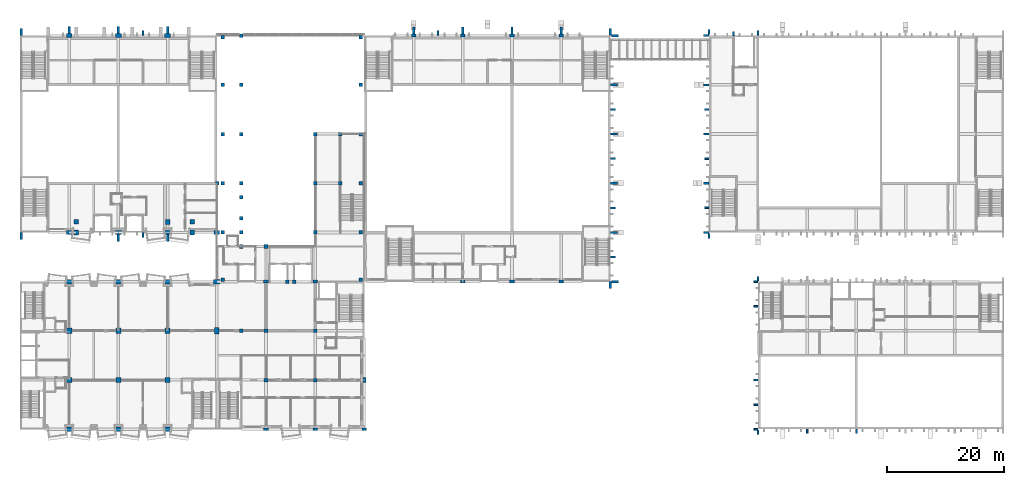
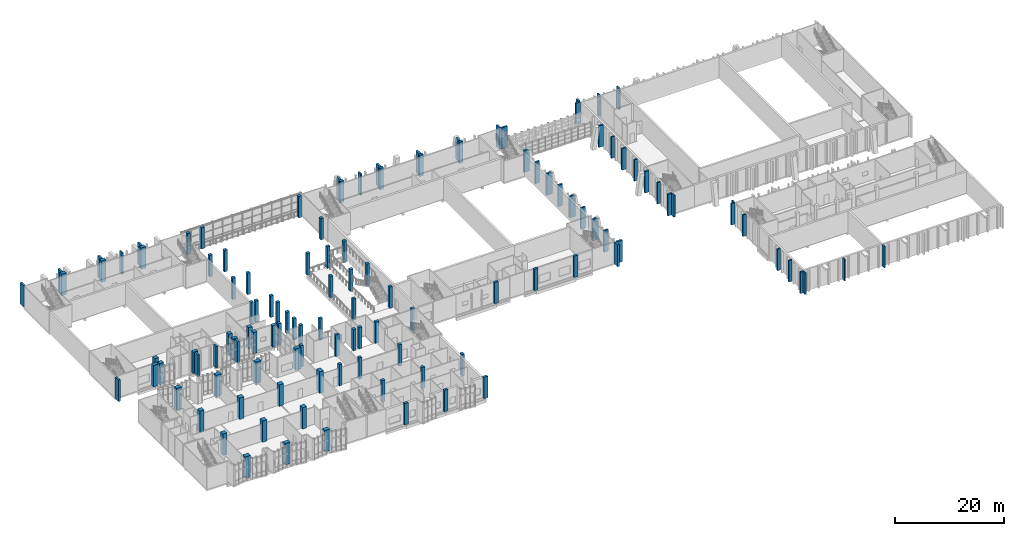
# One storey, part 1 of 91: 120 columns.
"""IFC4 building model written with IfcOpenShell, lengths in metres."""

from ifc_helpers import new_model, si_unit, direction, frame, origin, origin_2d, place, context, subcontext, project, spatial, rectangle, extrude, material, material_profile, profile_set, type_object, element, save


model = new_model("IFC4")

# Units and contexts
model_context = context("Model", 3, precision=1e-05, world=origin(), true_north=direction((0.0, 1.0)))
body_context = subcontext(model_context, "Body", "Model", "MODEL_VIEW")
ifc_project = project(units=[si_unit("LENGTHUNIT", "METRE"), si_unit("AREAUNIT", "SQUARE_METRE"), si_unit("VOLUMEUNIT", "CUBIC_METRE"), si_unit("PLANEANGLEUNIT", "RADIAN"), si_unit("MASSUNIT", "GRAM", prefix="KILO")], contexts=[model_context])

# Site, building, storey
site_placement = place(None, origin())
site = spatial("IfcSite", under=ifc_project, at=site_placement, CompositionType="ELEMENT")
building_placement = place(site_placement, origin())
building = spatial("IfcBuilding", under=site, at=building_placement, Name="Kiln Court Media Centre", CompositionType="ELEMENT")
storey_placement = place(building_placement, frame((0.0, 0.0, 5.39990234375)))
storey = spatial("IfcBuildingStorey", under=building, at=storey_placement, Name="L01", CompositionType="ELEMENT", Elevation=5.39990234375)

# Columns
ifc_material_1 = material(Name="Concrete C40/50", Category="concrete")
ifc_material_profile_1 = material_profile(ifc_material_1, rectangle(XDim=1.0, YDim=0.699951171875, at=origin_2d()), Name="RC 1000x700")
ifc_profile_set_1 = profile_set([ifc_material_profile_1], Name="Concrete C40/50")
column_type_1 = type_object("IfcColumnType", Name="Concrete C40/50 column 1000x700", PredefinedType="COLUMN", material=ifc_profile_set_1)
for number, where, z_axis, x_axis, name in (
    (1, (8.39990234375, 33.60009765625, 0.0), (0.0, 0.0, 1.0), (1.0, 0.0, 0.0), "L01-C-1024"),
    (2, (8.39990234375, 67.199951171875, 0.0), (0.0, 0.0, 1.0), (1.0, 0.0, 0.0), "L01-C-1025"),
    (3, (16.800048828125, 33.60009765625, 0.0), (0.0, 0.0, 1.0), (1.0, 0.0, 0.0), "L01-C-1026"),
    (4, (16.800048828125, 67.199951171875, 0.0), (0.0, 0.0, 1.0), (1.0, 0.0, 0.0), "L01-C-1027"),
    (5, (25.199951171875, 33.60009765625, 0.0), (0.0, 0.0, 1.0), (1.0, 0.0, 0.0), "L01-C-1028"),
    (6, (25.199951171875, 67.199951171875, 0.0), (0.0, 0.0, 1.0), (1.0, 0.0, 0.0), "L01-C-1029"),
    (7, (33.60009765625, 33.60009765625, 0.0), (0.0, 0.0, 1.0), (1.0, 0.0, 0.0), "L01-C-1030"),
):
    element("IfcColumn", number, at=place(storey_placement, frame(where, z_axis=z_axis, x_axis=x_axis)), inside=storey, type_object=column_type_1, Name=name, PredefinedType="COLUMN", context=body_context, shape_type="SweptSolid", body=[
        extrude(rectangle(XDim=1.0, YDim=0.699951171875, at=origin_2d()), origin(), (0.0, 0.0, 1.0), 4.800048828125),
    ])
ifc_material_2 = material(Name="Concrete C40/50", Category="concrete")
ifc_material_profile_2 = material_profile(ifc_material_2, rectangle(XDim=1.10009765625, YDim=0.800048828125, at=origin_2d()), Name="RC 1100x800")
ifc_profile_set_2 = profile_set([ifc_material_profile_2], Name="Concrete C40/50")
column_type_2 = type_object("IfcColumnType", Name="Concrete C40/50 column 1100x800", PredefinedType="COLUMN", material=ifc_profile_set_2)
for number, where, z_axis, x_axis, name in (
    (8, (8.39990234375, 0.0, 0.0), (0.0, 0.0, 1.0), (1.0, 0.0, 0.0), "L01-C-1000"),
    (9, (8.39990234375, 25.199951171875, 0.0), (0.0, 0.0, 1.0), (1.0, 0.0, 0.0), "L01-C-1003"),
    (10, (16.800048828125, 0.0, 0.0), (0.0, 0.0, 1.0), (1.0, 0.0, 0.0), "L01-C-1004"),
    (11, (16.800048828125, 25.199951171875, 0.0), (0.0, 0.0, 1.0), (1.0, 0.0, 0.0), "L01-C-1007"),
    (12, (25.199951171875, 0.0, 0.0), (0.0, 0.0, 1.0), (1.0, 0.0, 0.0), "L01-C-1008"),
    (13, (25.199951171875, 25.199951171875, 0.0), (0.0, 0.0, 1.0), (1.0, 0.0, 0.0), "L01-C-1011"),
    (14, (33.60009765625, 16.800048828125, 0.0), (0.0, 0.0, 1.0), (0.0, 1.0, 0.0), "L01-C-1012"),
    (15, (33.60009765625, 25.199951171875, 0.0), (0.0, 0.0, 1.0), (1.0, 0.0, 0.0), "L01-C-1013"),
):
    element("IfcColumn", number, at=place(storey_placement, frame(where, z_axis=z_axis, x_axis=x_axis)), inside=storey, type_object=column_type_2, Name=name, PredefinedType="COLUMN", context=body_context, shape_type="SweptSolid", body=[
        extrude(rectangle(XDim=1.10009765625, YDim=0.800048828125, at=origin_2d()), origin(), (0.0, 0.0, 1.0), 4.800048828125),
    ])
ifc_material_3 = material(Name="Concrete C40/50", Category="concrete")
ifc_material_profile_3 = material_profile(ifc_material_3, rectangle(XDim=0.60009765625, YDim=0.60009765625, at=origin_2d()), Name="RC 600x600")
ifc_profile_set_3 = profile_set([ifc_material_profile_3], Name="Concrete C40/50")
column_type_3 = type_object("IfcColumnType", Name="Concrete C40/50 column 600x600", PredefinedType="COLUMN", material=ifc_profile_set_3)
for number, where, z_axis, x_axis, name in (
    (16, (42.0, 8.39990234375, 0.0), (0.0, 0.0, 1.0), (1.0, 0.0, 0.0), "L01-C-1015"),
    (17, (42.0, 16.800048828125, 0.0), (0.0, 0.0, 1.0), (1.0, 0.0, 0.0), "L01-C-1016"),
    (18, (50.39990234375, 8.39990234375, 0.0), (0.0, 0.0, 1.0), (1.0, 0.0, 0.0), "L01-C-1019"),
    (19, (50.39990234375, 16.800048828125, 0.0), (0.0, 0.0, 1.0), (1.0, 0.0, 0.0), "L01-C-1020"),
    (20, (50.39990234375, 33.60009765625, 0.0), (0.0, 0.0, 1.0), (1.0, 0.0, 0.0), "L01-C-1031"),
    (21, (50.39990234375, 42.0, 0.0), (0.0, 0.0, 1.0), (1.0, 0.0, 0.0), "L01-C-1032"),
    (22, (50.39990234375, 50.39990234375, 0.0), (0.0, 0.0, 1.0), (1.0, 0.0, 0.0), "L01-C-1033"),
    (23, (34.64990234375, 25.5, 0.0), (0.0, 0.0, 1.0), (1.0, 0.0, 0.0), "L01-C-1048"),
    (24, (34.64990234375, 33.60009765625, 0.0), (0.0, 0.0, 1.0), (1.0, 0.0, 0.0), "L01-C-1049"),
    (25, (34.64990234375, 42.0, 0.0), (0.0, 0.0, 1.0), (1.0, 0.0, 0.0), "L01-C-1050"),
    (26, (34.64990234375, 50.39990234375, 0.0), (0.0, 0.0, 1.0), (1.0, 0.0, 0.0), "L01-C-1051"),
    (27, (34.64990234375, 58.800048828125, 0.0), (0.0, 0.0, 1.0), (1.0, 0.0, 0.0), "L01-C-1052"),
    (28, (34.64990234375, 66.89990234375, 0.0), (0.0, 0.0, 1.0), (1.0, 0.0, 0.0), "L01-C-1053"),
    (29, (58.14990234375, 25.5, 0.0), (0.0, 0.0, 1.0), (1.0, 0.0, 0.0), "L01-C-1054"),
    (30, (58.14990234375, 33.60009765625, 0.0), (0.0, 0.0, 1.0), (1.0, 0.0, 0.0), "L01-C-1055"),
    (31, (58.14990234375, 42.0, 0.0), (0.0, 0.0, 1.0), (1.0, 0.0, 0.0), "L01-C-1056"),
    (32, (58.14990234375, 50.39990234375, 0.0), (0.0, 0.0, 1.0), (1.0, 0.0, 0.0), "L01-C-1057"),
    (33, (58.14990234375, 58.800048828125, 0.0), (0.0, 0.0, 1.0), (1.0, 0.0, 0.0), "L01-C-1058"),
    (34, (58.14990234375, 66.89990234375, 0.0), (0.0, 0.0, 1.0), (1.0, 0.0, 0.0), "L01-C-1059"),
    (35, (37.800048828125, 31.199951171875, 0.0), (0.0, 0.0, 1.0), (1.0, 0.0, 0.0), "L01-C-1060"),
    (36, (37.800048828125, 36.0, 0.0), (0.0, 0.0, 1.0), (1.0, 0.0, 0.0), "L01-C-1061"),
    (37, (37.800048828125, 39.60009765625, 0.0), (0.0, 0.0, 1.0), (1.0, 0.0, 0.0), "L01-C-1062"),
    (38, (37.800048828125, 67.199951171875, 0.0), (0.0, 0.0, 1.0), (1.0, 0.0, 0.0), "L01-C-1063"),
    (39, (37.801025390625, 33.60009765625, 0.0), (0.0, 0.0, 1.0), (1.0, 0.0, 0.0), "L01-C-1064"),
    (40, (37.801025390625, 42.0, 0.0), (0.0, 0.0, 1.0), (1.0, 0.0, 0.0), "L01-C-1065"),
    (41, (37.801025390625, 50.39990234375, 0.0), (0.0, 0.0, 1.0), (1.0, 0.0, 0.0), "L01-C-1066"),
    (42, (37.801025390625, 58.800048828125, 0.0), (0.0, 0.0, 1.0), (1.0, 0.0, 0.0), "L01-C-1067"),
    (43, (33.64990234375, 42.0, 0.0), (0.0, 0.0, 1.0), (1.0, 0.0, 0.0), "L01-C-1068"),
    (44, (45.59912109375, 25.199951171875, 0.0), (0.0, 0.0, 1.0), (1.0, 0.0, 0.0), "L01-C-1069"),
    (45, (46.801025390625, 25.199951171875, 0.0), (0.0, 0.0, 1.0), (1.0, 0.0, 0.0), "L01-C-1070"),
    (46, (37.801025390625, 16.800048828125, 0.0), (0.0, 0.0, 1.0), (1.0, 0.0, 0.0), "L01-C-1078"),
    (47, (54.65087890625, 42.0, 0.0), (0.0, 0.0, 1.0), (1.0, 0.0, 0.0), "L01-C-1079"),
    (48, (54.65087890625, 50.39990234375, 0.0), (0.0, 0.0, 1.0), (1.0, 0.0, 0.0), "L01-C-1080"),
    (49, (42.0, 31.200927734375, 0.0), (0.0, 0.0, 1.0), (1.0, 0.0, 0.0), "L01-C-1081"),
):
    element("IfcColumn", number, at=place(storey_placement, frame(where, z_axis=z_axis, x_axis=x_axis)), inside=storey, type_object=column_type_3, Name=name, PredefinedType="COLUMN", context=body_context, shape_type="SweptSolid", body=[
        extrude(rectangle(XDim=0.60009765625, YDim=0.60009765625, at=origin_2d()), origin(), (0.0, 0.0, 1.0), 4.800048828125),
    ])
ifc_material_4 = material(Name="Concrete C40/50", Category="concrete")
ifc_material_profile_4 = material_profile(ifc_material_4, rectangle(XDim=0.800048828125, YDim=0.5, at=origin_2d()), Name="RC 800x500")
ifc_profile_set_4 = profile_set([ifc_material_profile_4], Name="Concrete C40/50")
column_type_4 = type_object("IfcColumnType", Name="Concrete C40/50 column 800x500", PredefinedType="COLUMN", material=ifc_profile_set_4)
for number, where, z_axis, x_axis, name in (
    (50, (42.0, 0.0, 0.0), (0.0, 0.0, 1.0), (1.0, 0.0, 0.0), "L01-C-1014"),
    (51, (42.0, 25.199951171875, 0.0), (0.0, 0.0, 1.0), (1.0, 0.0, 0.0), "L01-C-1017"),
    (52, (50.39990234375, 0.0, 0.0), (0.0, 0.0, 1.0), (1.0, 0.0, 0.0), "L01-C-1018"),
    (53, (50.39990234375, 25.199951171875, 0.0), (0.0, 0.0, 1.0), (1.0, 0.0, 0.0), "L01-C-1021"),
    (54, (58.800048828125, 0.0, 0.0), (0.0, 0.0, 1.0), (1.0, 0.0, 0.0), "L01-C-1022"),
    (55, (58.800048828125, 8.39990234375, 0.0), (0.0, 0.0, 1.0), (0.0, 1.0, 0.0), "L01-C-1023"),
    (56, (67.199951171875, 67.199951171875, 0.0), (0.0, 0.0, 1.0), (1.0, 0.0, 0.0), "L01-C-1034"),
    (57, (75.60009765625, 25.199951171875, 0.0), (0.0, 0.0, 1.0), (1.0, 0.0, 0.0), "L01-C-1035"),
    (58, (75.60009765625, 67.199951171875, 0.0), (0.0, 0.0, 1.0), (1.0, 0.0, 0.0), "L01-C-1036"),
    (59, (84.0, 25.199951171875, 0.0), (0.0, 0.0, 1.0), (1.0, 0.0, 0.0), "L01-C-1037"),
    (60, (84.0, 67.199951171875, 0.0), (0.0, 0.0, 1.0), (1.0, 0.0, 0.0), "L01-C-1038"),
    (61, (92.39990234375, 25.199951171875, 0.0), (0.0, 0.0, 1.0), (1.0, 0.0, 0.0), "L01-C-1039"),
    (62, (92.39990234375, 67.199951171875, 0.0), (0.0, 0.0, 1.0), (1.0, 0.0, 0.0), "L01-C-1040"),
):
    element("IfcColumn", number, at=place(storey_placement, frame(where, z_axis=z_axis, x_axis=x_axis)), inside=storey, type_object=column_type_4, Name=name, PredefinedType="COLUMN", context=body_context, shape_type="SweptSolid", body=[
        extrude(rectangle(XDim=0.800048828125, YDim=0.5, at=origin_2d()), origin(), (0.0, 0.0, 1.0), 4.800048828125),
    ])
ifc_material_5 = material(Name="Concrete C40/50", Category="concrete")
ifc_material_profile_5 = material_profile(ifc_material_5, rectangle(XDim=0.800048828125, YDim=0.800048828125, at=origin_2d()), Name="RC 800x800")
ifc_profile_set_5 = profile_set([ifc_material_profile_5], Name="Concrete C40/50")
column_type_5 = type_object("IfcColumnType", Name="Concrete C40/50 column 800x800", PredefinedType="COLUMN", material=ifc_profile_set_5)
for number, where, z_axis, x_axis, name in (
    (63, (9.60009765625, 35.39990234375, 0.0), (0.0, 0.0, 1.0), (1.0, 0.0, 0.0), "L01-C-1071"),
    (64, (9.60107421875, 33.60009765625, 0.0), (0.0, 0.0, 1.0), (1.0, 0.0, 0.0), "L01-C-1072"),
    (65, (25.199951171875, 35.39892578125, 0.0), (0.0, 0.0, 1.0), (1.0, 0.0, 0.0), "L01-C-1073"),
    (66, (29.39892578125, 33.60009765625, 0.0), (0.0, 0.0, 1.0), (1.0, 0.0, 0.0), "L01-C-1074"),
    (67, (29.39990234375, 35.39990234375, 0.0), (0.0, 0.0, 1.0), (1.0, 0.0, 0.0), "L01-C-1075"),
):
    element("IfcColumn", number, at=place(storey_placement, frame(where, z_axis=z_axis, x_axis=x_axis)), inside=storey, type_object=column_type_5, Name=name, PredefinedType="COLUMN", context=body_context, shape_type="SweptSolid", body=[
        extrude(rectangle(XDim=0.800048828125, YDim=0.800048828125, at=origin_2d()), origin(), (0.0, 0.0, 1.0), 4.800048828125),
    ])
ifc_material_6 = material(Name="Concrete C40/50", Category="concrete")
ifc_material_profile_6 = material_profile(ifc_material_6, rectangle(XDim=0.89990234375, YDim=0.89990234375, at=origin_2d()), Name="RC 900x900")
ifc_profile_set_6 = profile_set([ifc_material_profile_6], Name="Concrete C40/50")
column_type_6 = type_object("IfcColumnType", Name="Concrete C40/50 column 900x900", PredefinedType="COLUMN", material=ifc_profile_set_6)
for number, where, z_axis, x_axis, name in (
    (68, (8.39990234375, 8.39990234375, 0.0), (0.0, 0.0, 1.0), (1.0, 0.0, 0.0), "L01-C-1001"),
    (69, (8.39990234375, 16.800048828125, 0.0), (0.0, 0.0, 1.0), (1.0, 0.0, 0.0), "L01-C-1002"),
    (70, (16.800048828125, 8.39990234375, 0.0), (0.0, 0.0, 1.0), (1.0, 0.0, 0.0), "L01-C-1005"),
    (71, (16.800048828125, 16.800048828125, 0.0), (0.0, 0.0, 1.0), (1.0, 0.0, 0.0), "L01-C-1006"),
    (72, (25.199951171875, 8.39990234375, 0.0), (0.0, 0.0, 1.0), (1.0, 0.0, 0.0), "L01-C-1009"),
    (73, (25.199951171875, 16.800048828125, 0.0), (0.0, 0.0, 1.0), (1.0, 0.0, 0.0), "L01-C-1010"),
):
    element("IfcColumn", number, at=place(storey_placement, frame(where, z_axis=z_axis, x_axis=x_axis)), inside=storey, type_object=column_type_6, Name=name, PredefinedType="COLUMN", context=body_context, shape_type="SweptSolid", body=[
        extrude(rectangle(XDim=0.89990234375, YDim=0.89990234375, at=origin_2d()), origin(), (0.0, 0.0, 1.0), 4.800048828125),
    ])
ifc_material_7 = material(Name="Concrete C40/50", Category="concrete")
ifc_material_profile_7 = material_profile(ifc_material_7, rectangle(XDim=0.300048828125, YDim=0.699951171875, at=origin_2d()), Name="RC 300x700")
ifc_profile_set_7 = profile_set([ifc_material_profile_7], Name="Concrete C40/50")
column_type_7 = type_object("IfcColumnType", Name="Concrete C40/50 pilaster rib 300x700", PredefinedType="PILASTER", material=ifc_profile_set_7)
for number, where, z_axis, x_axis, name in (
    (74, (121.800048828125, 67.550048828125, 0.0), (0.0, 0.0, 1.0), (1.0, 0.0, 0.0), "V2 N rib L01"),
    (75, (117.25, 37.800048828125, 0.0), (0.0, 0.0, 1.0), (0.0, 1.0, 0.0), "V2 W rib L01"),
    (76, (117.25, 46.199951171875, 0.0), (0.0, 0.0, 1.0), (0.0, 1.0, 0.0), "V2 W rib L01"),
    (77, (117.25, 54.60009765625, 0.0), (0.0, 0.0, 1.0), (0.0, 1.0, 0.0), "V2 W rib L01"),
    (78, (126.0, -0.5, 0.0), (0.0, 0.0, 1.0), (1.0, 0.0, 0.0), "V5 S rib L01"),
    (79, (134.39990234375, -0.35009765625, 0.0), (0.0, 0.0, 1.0), (1.0, 0.0, 0.0), "V5 S rib L01"),
    (80, (142.800048828125, -0.35009765625, 0.0), (0.0, 0.0, 1.0), (1.0, 0.0, 0.0), "V5 S rib L01"),
    (81, (126.0, 25.699951171875, 0.0), (0.0, 0.0, 1.0), (1.0, 0.0, 0.0), "V5 N rib L01"),
    (82, (125.64990234375, 0.0, 0.0), (0.0, 0.0, 1.0), (0.0, 1.0, 0.0), "V5 W rib L01"),
    (83, (125.64990234375, 4.199951171875, 0.0), (0.0, 0.0, 1.0), (0.0, 1.0, 0.0), "V5 W rib L01"),
    (84, (125.64990234375, 8.39990234375, 0.0), (0.0, 0.0, 1.0), (0.0, 1.0, 0.0), "V5 W rib L01"),
    (85, (125.64990234375, 21.0, 0.0), (0.0, 0.0, 1.0), (0.0, 1.0, 0.0), "V5 W rib L01"),
    (86, (125.64990234375, 25.199951171875, 0.0), (0.0, 0.0, 1.0), (0.0, 1.0, 0.0), "V5 W rib L01"),
):
    element("IfcColumn", number, at=place(storey_placement, frame(where, z_axis=z_axis, x_axis=x_axis)), inside=storey, type_object=column_type_7, Name=name, PredefinedType="PILASTER", context=body_context, shape_type="SweptSolid", body=[
        extrude(rectangle(XDim=0.300048828125, YDim=0.699951171875, at=origin_2d()), origin(), (0.0, 0.0, 1.0), 4.800048828125),
    ])
ifc_material_8 = material(Name="Concrete C40/50", Category="concrete")
ifc_material_profile_8 = material_profile(ifc_material_8, rectangle(XDim=0.35009765625, YDim=0.89990234375, at=origin_2d()), Name="RC 350x900")
ifc_profile_set_8 = profile_set([ifc_material_profile_8], Name="Concrete C40/50")
column_type_8 = type_object("IfcColumnType", Name="Concrete C40/50 pilaster rib 350x900", PredefinedType="PILASTER", material=ifc_profile_set_8)
for number, where, z_axis, x_axis, name in (
    (87, (101.25, 29.39990234375, 0.0), (0.0, 0.0, 1.0), (0.0, 1.0, 0.0), "V1 E rib L01"),
    (88, (101.25, 37.800048828125, 0.0), (0.0, 0.0, 1.0), (0.0, 1.0, 0.0), "V1 E rib L01"),
    (89, (101.25, 46.199951171875, 0.0), (0.0, 0.0, 1.0), (0.0, 1.0, 0.0), "V1 E rib L01"),
    (90, (101.25, 54.60009765625, 0.0), (0.0, 0.0, 1.0), (0.0, 1.0, 0.0), "V1 E rib L01"),
    (91, (71.39990234375, 67.64990234375, 0.0), (0.0, 0.0, 1.0), (1.0, 0.0, 0.0), "V1 N rib L01"),
    (92, (117.60009765625, 32.97509765625, 0.0), (0.0, 0.0, 1.0), (1.0, 0.0, 0.0), "V2 S rib L01"),
    (93, (117.60009765625, 67.824951171875, 0.0), (0.0, 0.0, 1.0), (1.0, 0.0, 0.0), "V2 N rib L01"),
    (94, (126.0, 67.64990234375, 0.0), (0.0, 0.0, 1.0), (1.0, 0.0, 0.0), "V2 N rib L01"),
    (95, (117.14990234375, 33.60009765625, 0.0), (0.0, 0.0, 1.0), (0.0, 1.0, 0.0), "V2 W rib L01"),
    (96, (117.14990234375, 42.0, 0.0), (0.0, 0.0, 1.0), (0.0, 1.0, 0.0), "V2 W rib L01"),
    (97, (117.14990234375, 50.39990234375, 0.0), (0.0, 0.0, 1.0), (0.0, 1.0, 0.0), "V2 W rib L01"),
    (98, (117.14990234375, 58.800048828125, 0.0), (0.0, 0.0, 1.0), (0.0, 1.0, 0.0), "V2 W rib L01"),
    (99, (117.14990234375, 67.199951171875, 0.0), (0.0, 0.0, 1.0), (0.0, 1.0, 0.0), "V2 W rib L01"),
    (100, (21.0, 33.14990234375, 0.0), (0.0, 0.0, 1.0), (1.0, 0.0, 0.0), "V4 S rib L01"),
    (101, (21.0, 67.64990234375, 0.0), (0.0, 0.0, 1.0), (1.0, 0.0, 0.0), "V4 N rib L01"),
):
    element("IfcColumn", number, at=place(storey_placement, frame(where, z_axis=z_axis, x_axis=x_axis)), inside=storey, type_object=column_type_8, Name=name, PredefinedType="PILASTER", context=body_context, shape_type="SweptSolid", body=[
        extrude(rectangle(XDim=0.35009765625, YDim=0.89990234375, at=origin_2d()), origin(), (0.0, 0.0, 1.0), 4.800048828125),
    ])
ifc_material_9 = material(Name="Concrete C40/50", Category="concrete")
ifc_material_profile_9 = material_profile(ifc_material_9, rectangle(XDim=0.39990234375, YDim=1.199951171875, at=origin_2d()), Name="RC 400x1200")
ifc_profile_set_9 = profile_set([ifc_material_profile_9], Name="Concrete C40/50")
column_type_9 = type_object("IfcColumnType", Name="Concrete C40/50 pilaster rib 400x1200", PredefinedType="PILASTER", material=ifc_profile_set_9)
for number, where, z_axis, x_axis, name in (
    (102, (100.800048828125, 24.60009765625, 0.0), (0.0, 0.0, 1.0), (1.0, 0.0, 0.0), "V1 S rib L01"),
    (103, (101.60009765625, 25.199951171875, 0.0), (0.0, 0.0, 1.0), (0.0, 1.0, 0.0), "V1 E rib L01"),
    (104, (101.39990234375, 33.60009765625, 0.0), (0.0, 0.0, 1.0), (0.0, 1.0, 0.0), "V1 E rib L01"),
    (105, (101.39990234375, 42.0, 0.0), (0.0, 0.0, 1.0), (0.0, 1.0, 0.0), "V1 E rib L01"),
    (106, (101.39990234375, 50.39990234375, 0.0), (0.0, 0.0, 1.0), (0.0, 1.0, 0.0), "V1 E rib L01"),
    (107, (101.39990234375, 58.800048828125, 0.0), (0.0, 0.0, 1.0), (0.0, 1.0, 0.0), "V1 E rib L01"),
    (108, (101.60009765625, 67.199951171875, 0.0), (0.0, 0.0, 1.0), (0.0, 1.0, 0.0), "V1 E rib L01"),
    (109, (67.199951171875, 68.050048828125, 0.0), (0.0, 0.0, 1.0), (1.0, 0.0, 0.0), "V1 N rib L01"),
    (110, (75.60009765625, 68.050048828125, 0.0), (0.0, 0.0, 1.0), (1.0, 0.0, 0.0), "V1 N rib L01"),
    (111, (84.0, 68.050048828125, 0.0), (0.0, 0.0, 1.0), (1.0, 0.0, 0.0), "V1 N rib L01"),
    (112, (92.39990234375, 68.050048828125, 0.0), (0.0, 0.0, 1.0), (1.0, 0.0, 0.0), "V1 N rib L01"),
    (113, (100.800048828125, 67.800048828125, 0.0), (0.0, 0.0, 1.0), (1.0, 0.0, 0.0), "V1 N rib L01"),
    (114, (0.199951171875, 33.0, 0.0), (0.0, 0.0, 1.0), (1.0, 0.0, 0.0), "V4 S rib L01"),
    (115, (16.800048828125, 32.64990234375, 0.0), (0.0, 0.0, 1.0), (1.0, 0.0, 0.0), "V4 S rib L01"),
    (116, (25.199951171875, 32.64990234375, 0.0), (0.0, 0.0, 1.0), (1.0, 0.0, 0.0), "V4 S rib L01"),
    (117, (0.199951171875, 67.800048828125, 0.0), (0.0, 0.0, 1.0), (1.0, 0.0, 0.0), "V4 N rib L01"),
    (118, (8.39990234375, 68.14990234375, 0.0), (0.0, 0.0, 1.0), (1.0, 0.0, 0.0), "V4 N rib L01"),
    (119, (16.800048828125, 68.14990234375, 0.0), (0.0, 0.0, 1.0), (1.0, 0.0, 0.0), "V4 N rib L01"),
    (120, (25.199951171875, 68.14990234375, 0.0), (0.0, 0.0, 1.0), (1.0, 0.0, 0.0), "V4 N rib L01"),
):
    element("IfcColumn", number, at=place(storey_placement, frame(where, z_axis=z_axis, x_axis=x_axis)), inside=storey, type_object=column_type_9, Name=name, PredefinedType="PILASTER", context=body_context, shape_type="SweptSolid", body=[
        extrude(rectangle(XDim=0.39990234375, YDim=1.199951171875, at=origin_2d()), origin(), (0.0, 0.0, 1.0), 4.800048828125),
    ])

save(model, "model.ifc")
